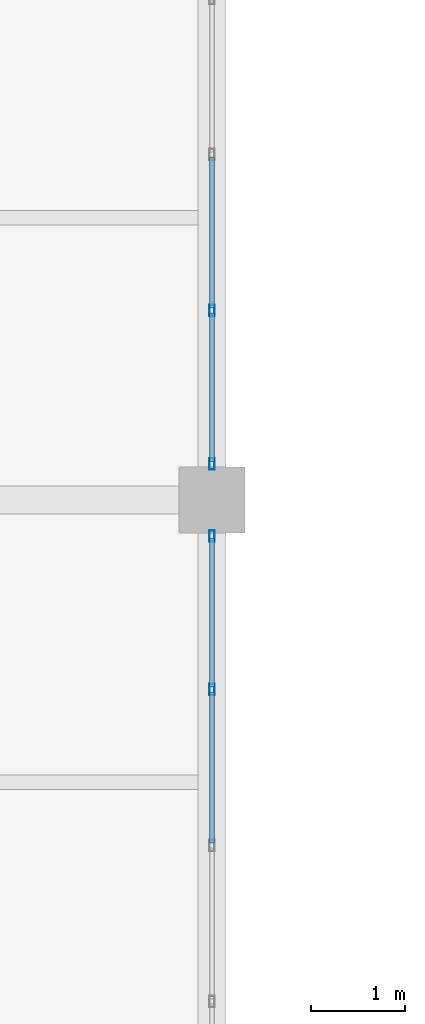
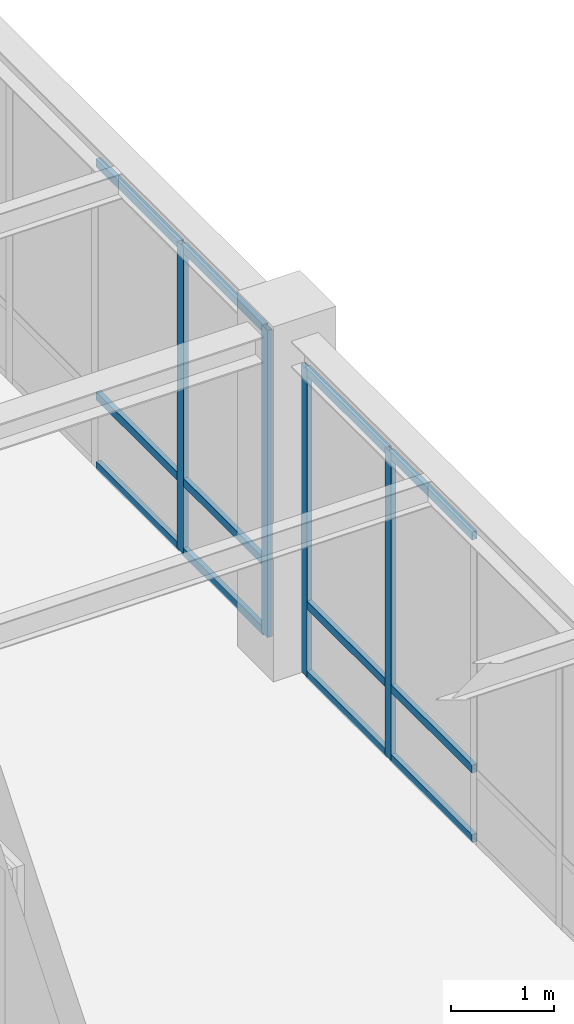
# One storey, part 53 of 108: 16 members, 2 elements without a shape of their own.
"""IFC4 building model written with IfcOpenShell, lengths in metres."""

from ifc_helpers import new_model, si_unit, direction, frame, origin, origin_2d, place, context, subcontext, project, spatial, hollow_rectangle, extrude, material, material_profile, profile_set, type_object, element, aggregate, save


model = new_model("IFC4")

# Units and contexts
model_context = context("Model", 3, precision=1e-05, world=origin(), true_north=direction((0.0, 1.0)))
body_context = subcontext(model_context, "Body", "Model", "MODEL_VIEW")
ifc_project = project(units=[si_unit("LENGTHUNIT", "METRE"), si_unit("AREAUNIT", "SQUARE_METRE"), si_unit("VOLUMEUNIT", "CUBIC_METRE"), si_unit("PLANEANGLEUNIT", "RADIAN"), si_unit("MASSUNIT", "GRAM", prefix="KILO")], contexts=[model_context])

# Site, building, storey
site_placement = place(None, origin())
site = spatial("IfcSite", under=ifc_project, at=site_placement, CompositionType="ELEMENT")
building_placement = place(site_placement, origin())
building = spatial("IfcBuilding", under=site, at=building_placement, Name="Lykobir Media Centre", CompositionType="ELEMENT")
storey_placement = place(building_placement, frame((0.0, 0.0, 15.0)))
storey = spatial("IfcBuildingStorey", under=building, at=storey_placement, Name="L03", CompositionType="ELEMENT", Elevation=15.0)

# Curtain wall, members
ifc_material = material(Name="Anodized Aluminium AW-6060", Category="aluminium")
curtain_wall_type = type_object("IfcCurtainWallType", Name="CW-COURT-B", PredefinedType="NOTDEFINED", material=ifc_material)
curtain_wall_1_placement = place(storey_placement, origin())
curtain_wall_1 = element("IfcCurtainWall", 1, at=curtain_wall_1_placement, inside=storey, type_object=curtain_wall_type, Name="Curtain wall CW2-L03-0140", PredefinedType="NOTDEFINED")
ifc_material_profile_1 = material_profile(ifc_material, hollow_rectangle(XDim=0.054931640625, YDim=0.1201171875, WallThickness=0.003173828125, at=origin_2d()), Name="ALU MULLION 55x120")
ifc_profile_set_1 = profile_set([ifc_material_profile_1], Name="Anodized Aluminium AW-6060")
member_type_1 = type_object("IfcMemberType", Name="CWM-120", PredefinedType="MULLION", material=ifc_profile_set_1)
member_1_placement = place(storey_placement, frame((99.0, 26.617431640625, 0.0), z_axis=(0.0, 0.0, 1.0), x_axis=(1.0, 0.0, 0.0)))
member_1 = element("IfcMember", 2, at=member_1_placement, type_object=member_type_1, Name="CW2-L03-0140 mullion 1", PredefinedType="MULLION", context=body_context, shape_type="SweptSolid", body=[
    extrude(hollow_rectangle(XDim=0.054931640625, YDim=0.1201171875, WallThickness=0.003173828125, at=origin_2d()), origin(), (0.0, 0.0, 1.0), 3.635009765625),
])
member_2_placement = place(storey_placement, frame((99.0, 24.987060546875, 0.0), z_axis=(0.0, 0.0, 1.0), x_axis=(1.0, 0.0, 0.0)))
member_2 = element("IfcMember", 3, at=member_2_placement, type_object=member_type_1, Name="CW2-L03-0140 mullion 2", PredefinedType="MULLION", context=body_context, shape_type="SweptSolid", body=[
    extrude(hollow_rectangle(XDim=0.054931640625, YDim=0.1201171875, WallThickness=0.003173828125, at=origin_2d()), origin(), (0.0, 0.0, 1.0), 3.635009765625),
])

curtain_wall_2_placement = place(storey_placement, origin())
curtain_wall_2 = element("IfcCurtainWall", 4, at=curtain_wall_2_placement, inside=storey, type_object=curtain_wall_type, Name="Curtain wall CW2-L03-0141", PredefinedType="NOTDEFINED")
member_3_placement = place(storey_placement, frame((99.0, 29.012939453125, 0.0), z_axis=(0.0, 0.0, 1.0), x_axis=(1.0, 0.0, 0.0)))
member_3 = element("IfcMember", 5, at=member_3_placement, type_object=member_type_1, Name="CW2-L03-0141 mullion 5", PredefinedType="MULLION", context=body_context, shape_type="SweptSolid", body=[
    extrude(hollow_rectangle(XDim=0.054931640625, YDim=0.1201171875, WallThickness=0.003173828125, at=origin_2d()), origin(), (0.0, 0.0, 1.0), 3.635009765625),
])
member_4_placement = place(storey_placement, frame((99.0, 27.382568359375, 0.0), z_axis=(0.0, 0.0, 1.0), x_axis=(1.0, 0.0, 0.0)))
member_4 = element("IfcMember", 6, at=member_4_placement, type_object=member_type_1, Name="CW2-L03-0141 mullion 6", PredefinedType="MULLION", context=body_context, shape_type="SweptSolid", body=[
    extrude(hollow_rectangle(XDim=0.054931640625, YDim=0.1201171875, WallThickness=0.003173828125, at=origin_2d()), origin(), (0.0, 0.0, 1.0), 3.635009765625),
])

# Member
ifc_material_profile_2 = material_profile(ifc_material, hollow_rectangle(XDim=0.054931640625, YDim=0.094970703125, WallThickness=0.0029296875, at=origin_2d()), Name="ALU TRANSOM 55x95")
ifc_profile_set_2 = profile_set([ifc_material_profile_2], Name="Anodized Aluminium AW-6060")
member_type_2 = type_object("IfcMemberType", Name="CWT-095", PredefinedType="USERDEFINED", material=ifc_profile_set_2)
member_5_placement = place(storey_placement, frame((99.0, 26.590087890625, 0.027587890625), z_axis=(0.0, -1.0, 0.0), x_axis=(1.0, 0.0, 0.0)))
member_5 = element("IfcMember", 7, at=member_5_placement, type_object=member_type_2, Name="CW2-L03-0140 transom 1.1", ObjectType="TRANSOM", PredefinedType="USERDEFINED", context=body_context, shape_type="SweptSolid", body=[
    extrude(hollow_rectangle(XDim=0.054931640625, YDim=0.094970703125, WallThickness=0.0029296875, at=origin_2d()), origin(), (0.0, 0.0, 1.0), 1.57568359375),
])

member_6_placement = place(storey_placement, frame((99.0, 26.590087890625, 0.85009765625), z_axis=(0.0, -1.0, 0.0), x_axis=(1.0, 0.0, 0.0)))
member_6 = element("IfcMember", 8, at=member_6_placement, type_object=member_type_2, Name="CW2-L03-0140 transom 1.2", ObjectType="TRANSOM", PredefinedType="USERDEFINED", context=body_context, shape_type="SweptSolid", body=[
    extrude(hollow_rectangle(XDim=0.054931640625, YDim=0.094970703125, WallThickness=0.0029296875, at=origin_2d()), origin(), (0.0, 0.0, 1.0), 1.57568359375),
])

member_7_placement = place(storey_placement, frame((99.0, 26.590087890625, 3.607421875), z_axis=(0.0, -1.0, 0.0), x_axis=(1.0, 0.0, 0.0)))
member_7 = element("IfcMember", 9, at=member_7_placement, type_object=member_type_2, Name="CW2-L03-0140 transom 1.3", ObjectType="TRANSOM", PredefinedType="USERDEFINED", context=body_context, shape_type="SweptSolid", body=[
    extrude(hollow_rectangle(XDim=0.054931640625, YDim=0.094970703125, WallThickness=0.0029296875, at=origin_2d()), origin(), (0.0, 0.0, 1.0), 1.57568359375),
])

member_8_placement = place(storey_placement, frame((99.0, 24.95947265625, 0.027587890625), z_axis=(0.0, -1.0, 0.0), x_axis=(1.0, 0.0, 0.0)))
member_8 = element("IfcMember", 10, at=member_8_placement, type_object=member_type_2, Name="CW2-L03-0140 transom 2.1", ObjectType="TRANSOM", PredefinedType="USERDEFINED", context=body_context, shape_type="SweptSolid", body=[
    extrude(hollow_rectangle(XDim=0.054931640625, YDim=0.094970703125, WallThickness=0.0029296875, at=origin_2d()), origin(), (0.0, 0.0, 1.0), 1.60302734375),
])

member_9_placement = place(storey_placement, frame((99.0, 24.95947265625, 0.85009765625), z_axis=(0.0, -1.0, 0.0), x_axis=(1.0, 0.0, 0.0)))
member_9 = element("IfcMember", 11, at=member_9_placement, type_object=member_type_2, Name="CW2-L03-0140 transom 2.2", ObjectType="TRANSOM", PredefinedType="USERDEFINED", context=body_context, shape_type="SweptSolid", body=[
    extrude(hollow_rectangle(XDim=0.054931640625, YDim=0.094970703125, WallThickness=0.0029296875, at=origin_2d()), origin(), (0.0, 0.0, 1.0), 1.60302734375),
])

member_10_placement = place(storey_placement, frame((99.0, 24.95947265625, 3.607421875), z_axis=(0.0, -1.0, 0.0), x_axis=(1.0, 0.0, 0.0)))
member_10 = element("IfcMember", 12, at=member_10_placement, type_object=member_type_2, Name="CW2-L03-0140 transom 2.3", ObjectType="TRANSOM", PredefinedType="USERDEFINED", context=body_context, shape_type="SweptSolid", body=[
    extrude(hollow_rectangle(XDim=0.054931640625, YDim=0.094970703125, WallThickness=0.0029296875, at=origin_2d()), origin(), (0.0, 0.0, 1.0), 1.60302734375),
])

aggregate(curtain_wall_1, [member_1, member_2, member_5, member_6, member_7, member_8, member_9, member_10])

member_11_placement = place(storey_placement, frame((99.0, 30.6435546875, 0.027587890625), z_axis=(0.0, -1.0, 0.0), x_axis=(1.0, 0.0, 0.0)))
member_11 = element("IfcMember", 13, at=member_11_placement, type_object=member_type_2, Name="CW2-L03-0141 transom 4.1", ObjectType="TRANSOM", PredefinedType="USERDEFINED", context=body_context, shape_type="SweptSolid", body=[
    extrude(hollow_rectangle(XDim=0.054931640625, YDim=0.094970703125, WallThickness=0.0029296875, at=origin_2d()), origin(), (0.0, 0.0, 1.0), 1.60302734375),
])

member_12_placement = place(storey_placement, frame((99.0, 30.6435546875, 0.85009765625), z_axis=(0.0, -1.0, 0.0), x_axis=(1.0, 0.0, 0.0)))
member_12 = element("IfcMember", 14, at=member_12_placement, type_object=member_type_2, Name="CW2-L03-0141 transom 4.2", ObjectType="TRANSOM", PredefinedType="USERDEFINED", context=body_context, shape_type="SweptSolid", body=[
    extrude(hollow_rectangle(XDim=0.054931640625, YDim=0.094970703125, WallThickness=0.0029296875, at=origin_2d()), origin(), (0.0, 0.0, 1.0), 1.60302734375),
])

member_13_placement = place(storey_placement, frame((99.0, 30.6435546875, 3.607421875), z_axis=(0.0, -1.0, 0.0), x_axis=(1.0, 0.0, 0.0)))
member_13 = element("IfcMember", 15, at=member_13_placement, type_object=member_type_2, Name="CW2-L03-0141 transom 4.3", ObjectType="TRANSOM", PredefinedType="USERDEFINED", context=body_context, shape_type="SweptSolid", body=[
    extrude(hollow_rectangle(XDim=0.054931640625, YDim=0.094970703125, WallThickness=0.0029296875, at=origin_2d()), origin(), (0.0, 0.0, 1.0), 1.60302734375),
])

member_14_placement = place(storey_placement, frame((99.0, 28.985595703125, 0.027587890625), z_axis=(0.0, -1.0, 0.0), x_axis=(1.0, 0.0, 0.0)))
member_14 = element("IfcMember", 16, at=member_14_placement, type_object=member_type_2, Name="CW2-L03-0141 transom 5.1", ObjectType="TRANSOM", PredefinedType="USERDEFINED", context=body_context, shape_type="SweptSolid", body=[
    extrude(hollow_rectangle(XDim=0.054931640625, YDim=0.094970703125, WallThickness=0.0029296875, at=origin_2d()), origin(), (0.0, 0.0, 1.0), 1.57568359375),
])

member_15_placement = place(storey_placement, frame((99.0, 28.985595703125, 0.85009765625), z_axis=(0.0, -1.0, 0.0), x_axis=(1.0, 0.0, 0.0)))
member_15 = element("IfcMember", 17, at=member_15_placement, type_object=member_type_2, Name="CW2-L03-0141 transom 5.2", ObjectType="TRANSOM", PredefinedType="USERDEFINED", context=body_context, shape_type="SweptSolid", body=[
    extrude(hollow_rectangle(XDim=0.054931640625, YDim=0.094970703125, WallThickness=0.0029296875, at=origin_2d()), origin(), (0.0, 0.0, 1.0), 1.57568359375),
])

member_16_placement = place(storey_placement, frame((99.0, 28.985595703125, 3.607421875), z_axis=(0.0, -1.0, 0.0), x_axis=(1.0, 0.0, 0.0)))
member_16 = element("IfcMember", 18, at=member_16_placement, type_object=member_type_2, Name="CW2-L03-0141 transom 5.3", ObjectType="TRANSOM", PredefinedType="USERDEFINED", context=body_context, shape_type="SweptSolid", body=[
    extrude(hollow_rectangle(XDim=0.054931640625, YDim=0.094970703125, WallThickness=0.0029296875, at=origin_2d()), origin(), (0.0, 0.0, 1.0), 1.57568359375),
])

aggregate(curtain_wall_2, [member_3, member_4, member_11, member_12, member_13, member_14, member_15, member_16])

save(model, "model.ifc")
